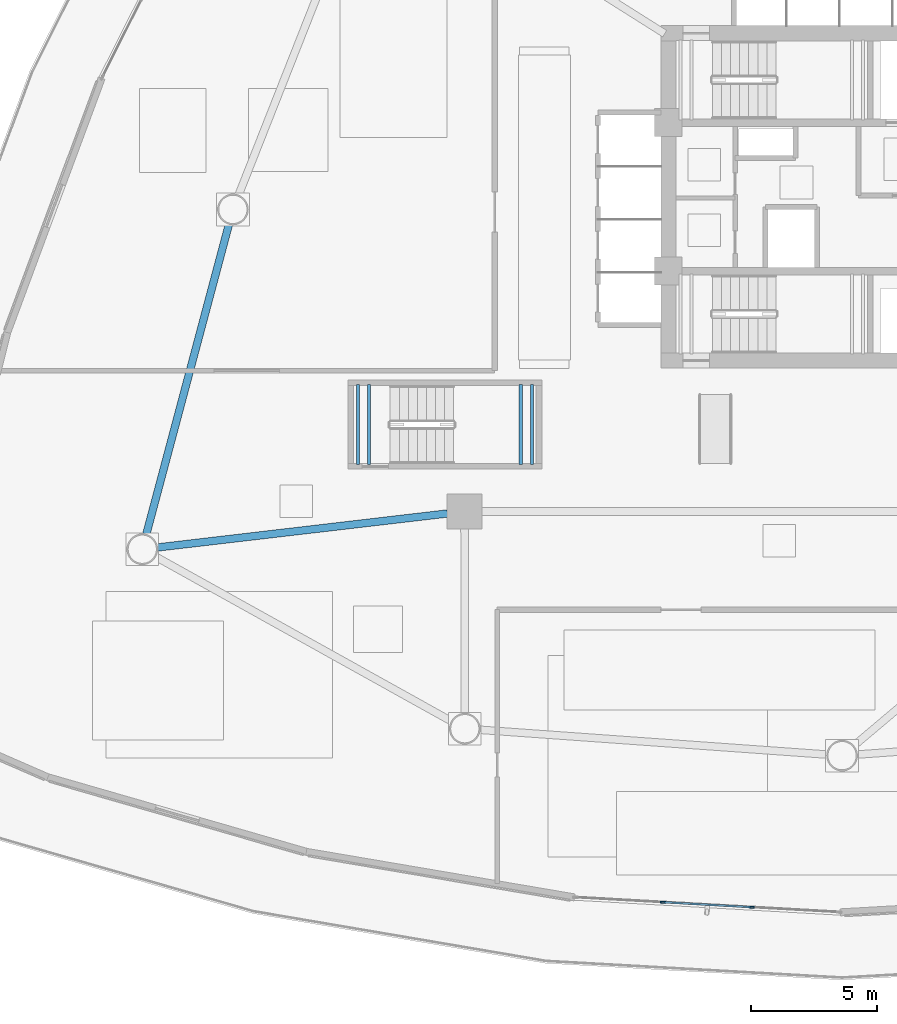
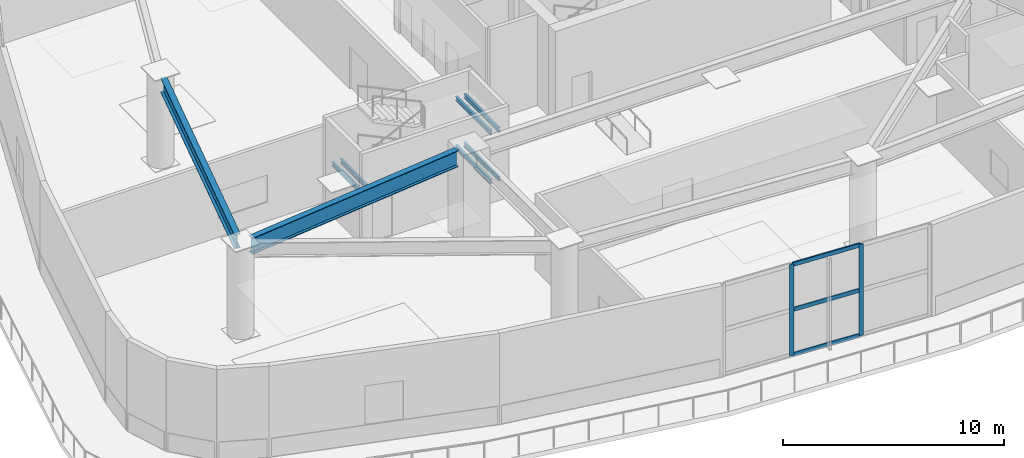
# One storey, part 3 of 25: 8 beams, 5 members, 1 element without a shape of its own.
"""IFC4 building model written with IfcOpenShell, lengths in metres."""

from ifc_helpers import new_model, si_unit, direction, frame, origin, origin_2d, place, context, subcontext, project, spatial, hollow_rectangle, i_section, extrude, source, transform, mapped, material, layer, layer_set, material_profile, profile_set, type_object, type_shapes, element, aggregate, save


model = new_model("IFC4")

# Units and contexts
model_context = context("Model", 3, precision=1e-05, world=origin(), true_north=direction((0.0, 1.0)))
body_context = subcontext(model_context, "Body", "Model", "MODEL_VIEW")
ifc_project = project(units=[si_unit("LENGTHUNIT", "METRE"), si_unit("AREAUNIT", "SQUARE_METRE"), si_unit("VOLUMEUNIT", "CUBIC_METRE"), si_unit("PLANEANGLEUNIT", "RADIAN"), si_unit("MASSUNIT", "GRAM", prefix="KILO")], contexts=[model_context])

# Site, building, storey
site_placement = place(None, origin())
site = spatial("IfcSite", under=ifc_project, at=site_placement, CompositionType="ELEMENT")
building_placement = place(site_placement, origin())
building = spatial("IfcBuilding", under=site, at=building_placement, Name="Tavelor Broadcast Tower", CompositionType="ELEMENT")
storey_placement = place(building_placement, frame((0.0, 0.0, 11.39990234375)))
storey = spatial("IfcBuildingStorey", under=building, at=storey_placement, Name="L02", CompositionType="ELEMENT", Elevation=11.39990234375)

# Beams
ifc_material_1 = material(Name="Steel S355", Category="steel")
ifc_material_profile_1 = material_profile(ifc_material_1, i_section(OverallWidth=0.300048828125, OverallDepth=0.800048828125, WebThickness=0.017578125, FlangeThickness=0.032958984375, at=origin_2d()), Name="HEB 800")
ifc_profile_set_1 = profile_set([ifc_material_profile_1], Name="Steel S355")
beam_type_1 = type_object("IfcBeamType", Name="Podium Spandrel Beam HEB800", PredefinedType="SPANDREL", material=ifc_profile_set_1)
beam_1_placement = place(storey_placement, frame((25.650634765625, 43.939697265625, 4.650146484375), z_axis=(-0.257669766751, -0.966233041922, 0.0), x_axis=(0.966233041922, -0.257669766751, 0.0)))
element("IfcBeam", 1, at=beam_1_placement, inside=storey, type_object=beam_type_1, Name="L02 Podium Spandrel Girder 4", PredefinedType="SPANDREL", context=body_context, shape_type="SweptSolid", body=[
    extrude(i_section(OverallWidth=0.300048828125, OverallDepth=0.800048828125, WebThickness=0.017578125, FlangeThickness=0.032958984375, at=origin_2d()), origin(), (0.0, 0.0, 1.0), 12.81201171875),
])
ifc_material_profile_2 = material_profile(ifc_material_1, i_section(OverallWidth=0.1201171875, OverallDepth=0.239990234375, WebThickness=0.006103515625, FlangeThickness=0.009765625, at=origin_2d()), Name="IPE 240")
ifc_profile_set_2 = profile_set([ifc_material_profile_2], Name="Steel S355")
beam_type_2 = type_object("IfcBeamType", Name="Stairwell Landing Support Trimmer Beam IPE240", PredefinedType="BEAM", material=ifc_profile_set_2)
for number, where, z_axis, x_axis, name in (
    (2, (37.235107421875, 34.360107421875, 1.03515625), (0.0, 1.0, 0.0), (-1.0, 0.0, 0.0), "L02 Stair Landing Support Beam 427"),
    (3, (37.675048828125, 34.360107421875, 1.03515625), (0.0, 1.0, 0.0), (-1.0, 0.0, 0.0), "L02 Stair Landing Support Beam 428"),
    (4, (30.77490234375, 34.360107421875, 2.385009765625), (0.0, 1.0, 0.0), (-1.0, 0.0, 0.0), "L02 Stair Landing Support Beam 429"),
    (5, (31.215087890625, 34.360107421875, 2.385009765625), (0.0, 1.0, 0.0), (-1.0, 0.0, 0.0), "L02 Stair Landing Support Beam 430"),
    (6, (37.235107421875, 34.360107421875, 3.735107421875), (0.0, 1.0, 0.0), (-1.0, 0.0, 0.0), "L02 Stair Landing Support Beam 431"),
    (7, (37.675048828125, 34.360107421875, 3.735107421875), (0.0, 1.0, 0.0), (-1.0, 0.0, 0.0), "L02 Stair Landing Support Beam 432"),
):
    element("IfcBeam", number, at=place(storey_placement, frame(where, z_axis=z_axis, x_axis=x_axis)), inside=storey, type_object=beam_type_2, Name=name, PredefinedType="BEAM", context=body_context, shape_type="SweptSolid", body=[
        extrude(i_section(OverallWidth=0.1201171875, OverallDepth=0.239990234375, WebThickness=0.006103515625, FlangeThickness=0.009765625, at=origin_2d()), origin(), (0.0, 0.0, 1.0), 3.179931640625),
    ])
ifc_material_2 = material(Name="Steel S460", Category="steel")
ifc_material_profile_3 = material_profile(ifc_material_2, i_section(OverallWidth=0.300048828125, OverallDepth=0.89990234375, WebThickness=0.0185546875, FlangeThickness=0.034912109375, at=origin_2d()), Name="HEB 900")
ifc_profile_set_3 = profile_set([ifc_material_profile_3], Name="Steel S460")
beam_type_3 = type_object("IfcBeamType", Name="Studio Long-Span Girder HEB900", PredefinedType="BEAM", material=ifc_profile_set_3)
beam_2_placement = place(storey_placement, frame((34.32470703125, 32.4208984375, 4.60009765625), z_axis=(-0.993201817643, -0.116405109127, 0.0), x_axis=(0.116405109127, -0.993201817643, 0.0)))
element("IfcBeam", 8, at=beam_2_placement, inside=storey, type_object=beam_type_3, Name="L02 Clear-Span Studio Girder 5", PredefinedType="BEAM", context=body_context, shape_type="SweptSolid", body=[
    extrude(i_section(OverallWidth=0.300048828125, OverallDepth=0.89990234375, WebThickness=0.0185546875, FlangeThickness=0.034912109375, at=origin_2d()), origin(), (0.0, 0.0, 1.0), 11.627685546875),
])

# Curtain wall, members
ifc_material_3 = material(Name="Architectural Anodized Aluminium", Category="aluminium")
ifc_layer = layer(ifc_material_3, 0.219970703125)
ifc_layer_set = layer_set([ifc_layer], Name="Architectural Anodized Aluminium")
curtain_wall_type = type_object("IfcCurtainWallType", Name="Podium Double-Height Broadcast Curtain Wall CW01", PredefinedType="NOTDEFINED", material=ifc_layer_set)
curtain_wall_placement = place(storey_placement, origin())
curtain_wall = element("IfcCurtainWall", 9, at=curtain_wall_placement, inside=storey, type_object=curtain_wall_type, Name="L02 Curtain Wall CW01 Run 9", PredefinedType="NOTDEFINED")
ifc_material_profile_4 = material_profile(ifc_material_3, hollow_rectangle(XDim=0.074951171875, YDim=0.219970703125, WallThickness=0.02197265625, at=origin_2d()), Name="RHS 75x220x22")
ifc_profile_set_4 = profile_set([ifc_material_profile_4], Name="Architectural Anodized Aluminium")
member_type_1 = type_object("IfcMemberType", Name="CW01 Extruded Aluminium Mullion 75x220", PredefinedType="MULLION", material=ifc_profile_set_4)
shared_shape_1 = source(origin(), body_context, "Body", "SweptSolid", [
    extrude(hollow_rectangle(XDim=0.074951171875, YDim=0.219970703125, WallThickness=0.02197265625, at=origin_2d()), origin(), (0.0, 0.0, 1.0), 5.050048828125),
])
type_shapes(member_type_1, [shared_shape_1])
member_1_placement = place(storey_placement, frame((42.89306640625, 16.978271484375, 0.0), z_axis=(0.0, 0.0, 1.0), x_axis=(0.056103210648, 0.998424974525, 0.0)))
member_1 = element("IfcMember", 10, at=member_1_placement, type_object=member_type_1, Name="CW01 mullion 2", PredefinedType="MULLION", context=body_context, shape_type="MappedRepresentation", body=[
    mapped(shared_shape_1, transform((0.0, 0.0, 0.0), scale=1.0)),
])
member_2_placement = place(storey_placement, frame((46.406494140625, 16.78076171875, 0.0), z_axis=(0.0, 0.0, 1.0), x_axis=(0.056103210648, 0.998424974525, 0.0)))
member_2 = element("IfcMember", 11, at=member_2_placement, type_object=member_type_1, Name="CW01 mullion 3", PredefinedType="MULLION", context=body_context, shape_type="MappedRepresentation", body=[
    mapped(shared_shape_1, transform((0.0, 0.0, 0.0), scale=1.0)),
])
ifc_material_profile_5 = material_profile(ifc_material_3, hollow_rectangle(XDim=0.074951171875, YDim=0.219970703125, WallThickness=0.02197265625, at=origin_2d()), Name="RHS 75x220x22")
ifc_profile_set_5 = profile_set([ifc_material_profile_5], Name="Architectural Anodized Aluminium")
member_type_2 = type_object("IfcMemberType", Name="CW01 Extruded Aluminium Transom 75x220", PredefinedType="USERDEFINED", material=ifc_profile_set_5)
shared_shape_2 = source(origin(), body_context, "Body", "SweptSolid", [
    extrude(hollow_rectangle(XDim=0.074951171875, YDim=0.219970703125, WallThickness=0.02197265625, at=origin_2d()), origin(), (0.0, 0.0, 1.0), 3.444091796875),
])
type_shapes(member_type_2, [shared_shape_2])
member_3_placement = place(storey_placement, frame((42.930419921875, 16.97607421875, 0.03759765625), z_axis=(0.998426801658, -0.056070685134, 0.0), x_axis=(0.056070685134, 0.998426801658, 0.0)))
member_3 = element("IfcMember", 12, at=member_3_placement, type_object=member_type_2, Name="CW01 transom 2.1", ObjectType="TRANSOM", PredefinedType="USERDEFINED", context=body_context, shape_type="MappedRepresentation", body=[
    mapped(shared_shape_2, transform((0.0, 0.0, 0.0), scale=1.0)),
])
member_4_placement = place(storey_placement, frame((42.930419921875, 16.97607421875, 2.525146484375), z_axis=(0.998426801658, -0.056070685134, 0.0), x_axis=(0.056070685134, 0.998426801658, 0.0)))
member_4 = element("IfcMember", 13, at=member_4_placement, type_object=member_type_2, Name="CW01 transom 2.2", ObjectType="TRANSOM", PredefinedType="USERDEFINED", context=body_context, shape_type="MappedRepresentation", body=[
    mapped(shared_shape_2, transform((0.0, 0.0, 0.0), scale=1.0)),
])
member_5_placement = place(storey_placement, frame((42.930419921875, 16.97607421875, 5.0126953125), z_axis=(0.998426801658, -0.056070685134, 0.0), x_axis=(0.056070685134, 0.998426801658, 0.0)))
member_5 = element("IfcMember", 14, at=member_5_placement, type_object=member_type_2, Name="CW01 transom 2.3", ObjectType="TRANSOM", PredefinedType="USERDEFINED", context=body_context, shape_type="MappedRepresentation", body=[
    mapped(shared_shape_2, transform((0.0, 0.0, 0.0), scale=1.0)),
])
aggregate(curtain_wall, [member_1, member_2, member_3, member_4, member_5])

save(model, "model.ifc")
